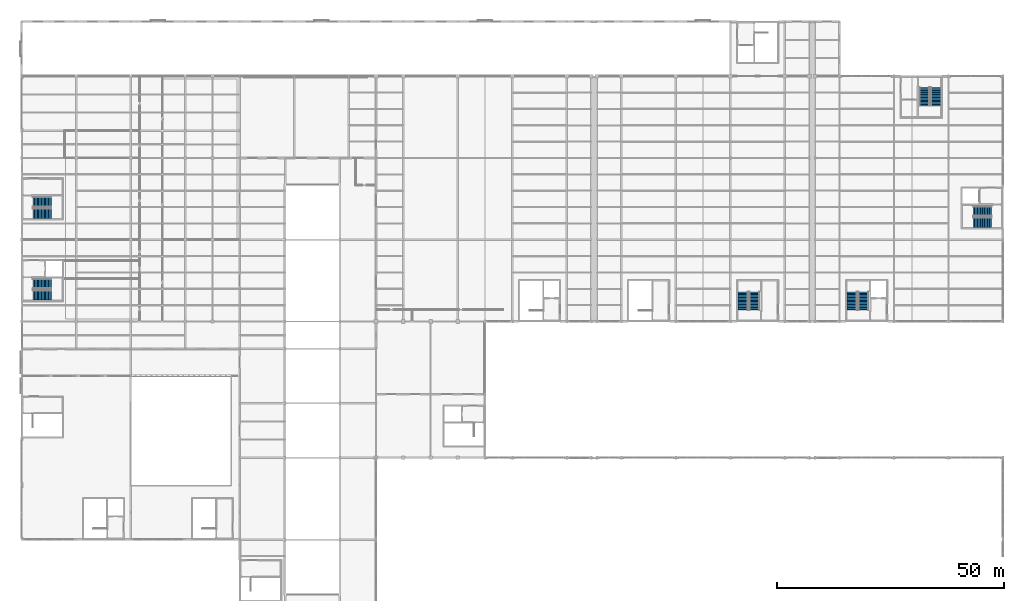
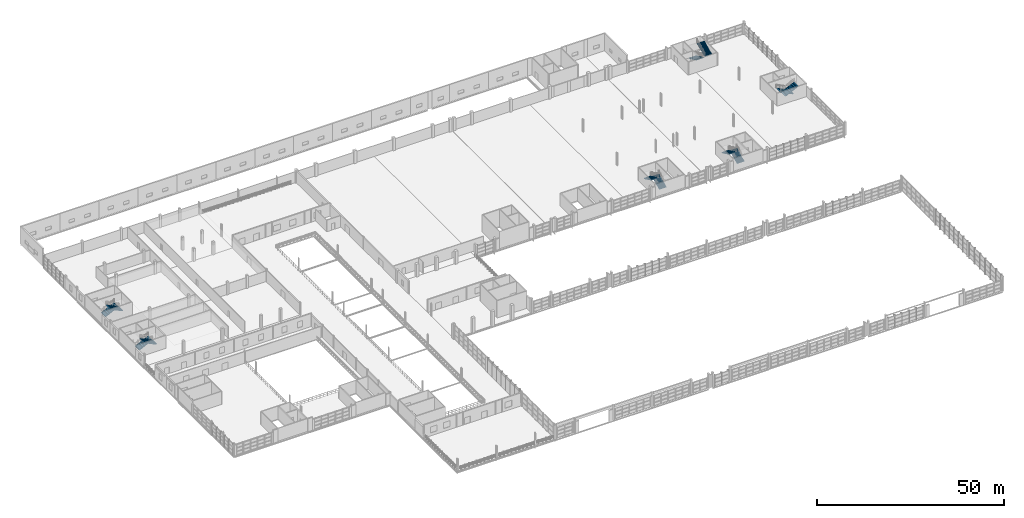
# One storey, part 142 of 147: 12 stair flights, 6 elements without a shape of their own.
"""IFC4 building model written with IfcOpenShell, lengths in metres."""

import ifcopenshell
import ifcopenshell.guid

model = None  # the IFC model being written
_history = None  # IfcOwnerHistory: only IFC2X3 demands one
_inside = {}  # id of a spatial element -> (the spatial element, [elements in it])
_under = {}  # id of a project, library or spatial element -> (it, [spatial elements below it])
_declared = {}  # id of a project -> (the project, [libraries it declares])
_typed = {}  # id of a type object -> (the type object, [elements of that type])
_made_of = {}  # id of a material, layer set ... -> (it, [elements and type objects made of it])


def new_model(schema):
    """Start an empty IFC model of exactly this schema.

    Asked for "IFC4X3", IfcOpenShell would pick the latest addendum, in which some entities
    have other attributes; the version numbers below select the first issue.
    IFC2X3 requires an IfcOwnerHistory on every rooted entity: one is made here for all.
    """
    global model, _history
    if schema == "IFC4X3":
        model = ifcopenshell.file(schema_version=(4, 3, 0, 0))
    else:
        model = ifcopenshell.file(schema=schema)
    _inside.clear()
    _under.clear()
    _declared.clear()
    _typed.clear()
    _made_of.clear()
    _history = None
    if model.schema == "IFC2X3":
        org = make("IfcOrganization", Name="unknown")
        user = make(
            "IfcPersonAndOrganization",
            ThePerson=make("IfcPerson", FamilyName="unknown"),
            TheOrganization=org,
        )
        app = make(
            "IfcApplication",
            ApplicationDeveloper=org,
            Version="unknown",
            ApplicationFullName="unknown",
            ApplicationIdentifier="unknown",
        )
        _history = make(
            "IfcOwnerHistory",
            OwningUser=user,
            OwningApplication=app,
            ChangeAction="ADDED",
            CreationDate=0,
        )
    return model


def make(cls, **values):
    """One entity of the class cls with the attributes given. An attribute that is None is left unset."""
    return model.create_entity(
        cls, **{name: value for name, value in values.items() if value is not None}
    )


def rooted(cls, **values):
    """An entity with a GlobalId (a new one), such as an element, a storey or a relation."""
    return make(cls, GlobalId=ifcopenshell.guid.new(), OwnerHistory=_history, **values)


def si_unit(unit_type, name, prefix=None):
    """IfcSIUnit, for example si_unit("LENGTHUNIT", "METRE", prefix="MILLI")."""
    return make("IfcSIUnit", UnitType=unit_type, Prefix=prefix, Name=name)


def assignment(units):
    """IfcUnitAssignment: the units of a project."""
    return None if units is None else make("IfcUnitAssignment", Units=units)


def point(xyz):
    """IfcCartesianPoint."""
    return None if xyz is None else make("IfcCartesianPoint", Coordinates=xyz)


def direction(xyz):
    """IfcDirection."""
    return None if xyz is None else make("IfcDirection", DirectionRatios=xyz)


def frame(location, z_axis=None, x_axis=None):
    """IfcAxis2Placement3D, a coordinate frame: its origin and axes. An axis left out is left unset."""
    return make(
        "IfcAxis2Placement3D",
        Location=point(location),
        Axis=direction(z_axis),
        RefDirection=direction(x_axis),
    )


def origin():
    """The frame at (0, 0, 0) with its axes left unset."""
    return frame((0.0, 0.0, 0.0))


def place(relative_to, where):
    """IfcLocalPlacement: puts the frame where relative to a parent placement (None: the world)."""
    return make(
        "IfcLocalPlacement", PlacementRelTo=relative_to, RelativePlacement=where
    )


def context(
    kind, dimensions, precision=None, world=None, true_north=None, identifier=None
):
    """IfcGeometricRepresentationContext, for example the 3D "Model" context."""
    return make(
        "IfcGeometricRepresentationContext",
        ContextIdentifier=identifier,
        ContextType=kind,
        CoordinateSpaceDimension=dimensions,
        Precision=precision,
        WorldCoordinateSystem=world,
        TrueNorth=true_north,
    )


def subcontext(parent, identifier, kind, view, scale=None):
    """IfcGeometricRepresentationSubContext, for example "Body" below "Model"."""
    return make(
        "IfcGeometricRepresentationSubContext",
        ContextIdentifier=identifier,
        ContextType=kind,
        ParentContext=parent,
        TargetScale=scale,
        TargetView=view,
    )


def project(units=None, contexts=None):
    """IfcProject with its units and contexts."""
    return rooted(
        "IfcProject",
        Name="project",
        RepresentationContexts=contexts,
        UnitsInContext=assignment(units),
    )


def spatial(cls, under=None, at=None, **own):
    """A site, building, storey or space (cls), placed at a placement, below another one or the project."""
    s = rooted(cls, ObjectPlacement=at, **own)
    if under is not None:
        _under.setdefault(under.id(), (under, []))[1].append(s)
    return s


def polyline(points):
    """IfcPolyline through the points."""
    return make("IfcPolyline", Points=[point(p) for p in points])


def outline(outer, holes=None, kind="AREA"):
    """IfcArbitraryClosedProfileDef: a profile drawn as a closed curve; with holes, ...WithVoids."""
    if holes is None:
        return make("IfcArbitraryClosedProfileDef", ProfileType=kind, OuterCurve=outer)
    return make(
        "IfcArbitraryProfileDefWithVoids",
        ProfileType=kind,
        OuterCurve=outer,
        InnerCurves=holes,
    )


def extrude(swept, where, along, depth):
    """IfcExtrudedAreaSolid: the profile swept, set in the frame where, extruded along a direction by depth."""
    return make(
        "IfcExtrudedAreaSolid",
        SweptArea=swept,
        Position=where,
        ExtrudedDirection=direction(along),
        Depth=depth,
    )


def shape(context_of_items, identifier, shape_type, items):
    """IfcShapeRepresentation: the items that make up one representation, for example the "Body"."""
    return make(
        "IfcShapeRepresentation",
        ContextOfItems=context_of_items,
        RepresentationIdentifier=identifier,
        RepresentationType=shape_type,
        Items=items,
    )


def material(Name=None, Category=None):
    """IfcMaterial."""
    return make("IfcMaterial", Name=Name, Category=Category)


def made_of(thing, what):
    """Note that an element or type object is made of a material, layer set ...; save() writes the relation."""
    if what is not None:
        _made_of.setdefault(what.id(), (what, []))[1].append(thing)
    return thing


def type_object(cls, material=None, **own):
    """A type object (cls), such as IfcWallType, which elements share."""
    return made_of(rooted(cls, **own), material)


def element(
    cls,
    number,
    at=None,
    inside=None,
    cuts=None,
    type_object=None,
    material=None,
    context=None,
    identifier="Body",
    shape_type=None,
    held_by="IfcProductDefinitionShape",
    body=None,
    shapes=None,
    **own,
):
    """One element of the class cls, such as IfcWall. Its Tag is "e" and its number.

    at: its placement. inside: the storey or other place that contains it. cuts: it is an
    opening in that element (IfcRelVoidsElement). A single representation is given by context,
    identifier, shape_type and body (its items); several are given by shapes. held_by: the class
    of the entity that holds the representations. save() writes the other relations.
    """
    e = rooted(cls, Tag="e%d" % number, ObjectPlacement=at, **own)
    if body is not None:
        shapes = [shape(context, identifier, shape_type, body)]
    if shapes is not None:
        e.Representation = make(held_by, Representations=shapes)
    if inside is not None:
        _inside.setdefault(inside.id(), (inside, []))[1].append(e)
    if cuts is not None:
        rooted(
            "IfcRelVoidsElement", RelatingBuildingElement=cuts, RelatedOpeningElement=e
        )
    if type_object is not None:
        _typed.setdefault(type_object.id(), (type_object, []))[1].append(e)
    return made_of(e, material)


def aggregate(whole, parts):
    """IfcRelAggregates: a whole, such as a stair, and the parts it consists of."""
    return rooted("IfcRelAggregates", RelatingObject=whole, RelatedObjects=parts)


def save(model, path):
    """Write the relations noted so far, then the file.

    IfcRelAggregates (storeys below a building ...), IfcRelContainedInSpatialStructure (elements
    in a storey), IfcRelDefinesByType, IfcRelAssociatesMaterial and IfcRelDeclares: one each for
    every whole, place, type object, material and project.
    """
    for whole, parts in _under.values():
        aggregate(whole, parts)
    for where, things in _inside.values():
        rooted(
            "IfcRelContainedInSpatialStructure",
            RelatedElements=things,
            RelatingStructure=where,
        )
    for kind, things in _typed.values():
        rooted("IfcRelDefinesByType", RelatedObjects=things, RelatingType=kind)
    for what, things in _made_of.values():
        rooted("IfcRelAssociatesMaterial", RelatedObjects=things, RelatingMaterial=what)
    for by, libraries in _declared.values():
        rooted("IfcRelDeclares", RelatingContext=by, RelatedDefinitions=libraries)
    model.write(path)


model = new_model("IFC4")

# Units and contexts
model_context = context("Model", 3, precision=1e-05, world=origin(), true_north=direction((0.0, 1.0)))
body_context = subcontext(model_context, "Body", "Model", "MODEL_VIEW")
ifc_project = project(units=[si_unit("LENGTHUNIT", "METRE"), si_unit("AREAUNIT", "SQUARE_METRE"), si_unit("VOLUMEUNIT", "CUBIC_METRE"), si_unit("PLANEANGLEUNIT", "RADIAN"), si_unit("MASSUNIT", "GRAM", prefix="KILO")], contexts=[model_context])

# Site, building, storey
site_placement = place(None, origin())
site = spatial("IfcSite", under=ifc_project, at=site_placement, CompositionType="ELEMENT")
building_placement = place(site_placement, origin())
building = spatial("IfcBuilding", under=site, at=building_placement, Name="Zilviju Railside Exhibition Hall", CompositionType="ELEMENT")
storey_placement = place(building_placement, frame((0.0, 0.0, 8.39990234375)))
storey = spatial("IfcBuildingStorey", under=building, at=storey_placement, Name="L03", CompositionType="ELEMENT", Elevation=8.39990234375)

# Stair, stair flights
ifc_material = material(Name="Concrete C35/45", Category="concrete")
stair_type_1 = type_object("IfcStairType", Name="STAIR-ST-A", PredefinedType="HALF_TURN_STAIR", material=ifc_material)
stair_1_placement = place(storey_placement, origin())
stair_1 = element("IfcStair", 1, at=stair_1_placement, inside=storey, type_object=stair_type_1, Name="Core C07 North Hall Court East Exit Stair L03", PredefinedType="HALF_TURN_STAIR")
stair_flight_type_1 = type_object("IfcStairFlightType", Name="FLIGHT-ST-A", PredefinedType="STRAIGHT", material=ifc_material)
stair_flight_1_placement = place(storey_placement, frame((185.300048828125, 86.5, 0.0), z_axis=(0.0, 0.0, 1.0), x_axis=(0.0, 1.0, 0.0)))
stair_flight_1 = element("IfcStairFlight", 2, at=stair_flight_1_placement, type_object=stair_flight_type_1, Name="ST-07 flight 1", NumberOfRisers=14, NumberOfTreads=13, PredefinedType="STRAIGHT", RiserHeight=0.15, TreadLength=0.31, context=body_context, shape_type="SweptSolid", body=[
    extrude(outline(polyline([(0.0, 0.0), (0.0, 0.14990234375), (0.31005859375, 0.14990234375), (0.31005859375, 0.300048828125), (0.6201171875, 0.300048828125), (0.6201171875, 0.449951171875), (0.929931640625, 0.449951171875), (0.929931640625, 0.60009765625), (1.239990234375, 0.60009765625), (1.239990234375, 0.75), (1.550048828125, 0.75), (1.550048828125, 0.89990234375), (1.860107421875, 0.89990234375), (1.860107421875, 1.050048828125), (2.169921875, 1.050048828125), (2.169921875, 1.199951171875), (2.47998046875, 1.199951171875), (2.47998046875, 1.35009765625), (2.7900390625, 1.35009765625), (2.7900390625, 1.5), (3.10009765625, 1.5), (3.10009765625, 1.64990234375), (3.409912109375, 1.64990234375), (3.409912109375, 1.800048828125), (3.719970703125, 1.800048828125), (3.719970703125, 1.949951171875), (4.030029296875, 1.949951171875), (4.030029296875, 2.10009765625), (4.030029296875, 1.75), (0.4130859375, 0.0), (0.0, 0.0)])), frame((0.0, 1.1201171875, 0.0), z_axis=(0.0, -1.0, 0.0), x_axis=(1.0, 0.0, 0.0)), (0.0, 0.0, 1.0), 2.239990234375),
])
stair_flight_2_placement = place(storey_placement, frame((182.800048828125, 90.530029296875, 2.10009765625), z_axis=(0.0, 0.0, 1.0), x_axis=(0.0, -1.0, 0.0)))
stair_flight_2 = element("IfcStairFlight", 3, at=stair_flight_2_placement, type_object=stair_flight_type_1, Name="ST-07 flight 2", NumberOfRisers=14, NumberOfTreads=13, PredefinedType="STRAIGHT", RiserHeight=0.15, TreadLength=0.31, context=body_context, shape_type="SweptSolid", body=[
    extrude(outline(polyline([(0.0, 0.0), (0.0, 0.14990234375), (0.31005859375, 0.14990234375), (0.31005859375, 0.300048828125), (0.6201171875, 0.300048828125), (0.6201171875, 0.449951171875), (0.929931640625, 0.449951171875), (0.929931640625, 0.60009765625), (1.239990234375, 0.60009765625), (1.239990234375, 0.75), (1.550048828125, 0.75), (1.550048828125, 0.89990234375), (1.860107421875, 0.89990234375), (1.860107421875, 1.050048828125), (2.169921875, 1.050048828125), (2.169921875, 1.199951171875), (2.47998046875, 1.199951171875), (2.47998046875, 1.35009765625), (2.7900390625, 1.35009765625), (2.7900390625, 1.5), (3.10009765625, 1.5), (3.10009765625, 1.64990234375), (3.409912109375, 1.64990234375), (3.409912109375, 1.800048828125), (3.719970703125, 1.800048828125), (3.719970703125, 1.949951171875), (4.030029296875, 1.949951171875), (4.030029296875, 2.10009765625), (4.030029296875, 1.75), (0.4130859375, 0.0), (0.0, 0.0)])), frame((0.0, 1.1201171875, 0.0), z_axis=(0.0, -1.0, 0.0), x_axis=(1.0, 0.0, 0.0)), (0.0, 0.0, 1.0), 2.239990234375),
])
aggregate(stair_1, [stair_flight_1, stair_flight_2])

stair_2_placement = place(storey_placement, origin())
stair_2 = element("IfcStair", 4, at=stair_2_placement, inside=storey, type_object=stair_type_1, Name="Core C16 Organisers Wing North Exit Stair L03", PredefinedType="HALF_TURN_STAIR")
stair_flight_3_placement = place(storey_placement, frame((2.5, 110.300048828125, 0.0), z_axis=(0.0, 0.0, 1.0), x_axis=(1.0, 0.0, 0.0)))
stair_flight_3 = element("IfcStairFlight", 5, at=stair_flight_3_placement, type_object=stair_flight_type_1, Name="ST-16 flight 1", NumberOfRisers=14, NumberOfTreads=13, PredefinedType="STRAIGHT", RiserHeight=0.15, TreadLength=0.31, context=body_context, shape_type="SweptSolid", body=[
    extrude(outline(polyline([(0.0, 0.0), (0.0, 0.14990234375), (0.31005859375, 0.14990234375), (0.31005859375, 0.300048828125), (0.6201171875, 0.300048828125), (0.6201171875, 0.449951171875), (0.929931640625, 0.449951171875), (0.929931640625, 0.60009765625), (1.239990234375, 0.60009765625), (1.239990234375, 0.75), (1.550048828125, 0.75), (1.550048828125, 0.89990234375), (1.860107421875, 0.89990234375), (1.860107421875, 1.050048828125), (2.169921875, 1.050048828125), (2.169921875, 1.199951171875), (2.47998046875, 1.199951171875), (2.47998046875, 1.35009765625), (2.7900390625, 1.35009765625), (2.7900390625, 1.5), (3.10009765625, 1.5), (3.10009765625, 1.64990234375), (3.409912109375, 1.64990234375), (3.409912109375, 1.800048828125), (3.719970703125, 1.800048828125), (3.719970703125, 1.949951171875), (4.030029296875, 1.949951171875), (4.030029296875, 2.10009765625), (4.030029296875, 1.75), (0.4130859375, 0.0), (0.0, 0.0)])), frame((0.0, 1.1201171875, 0.0), z_axis=(0.0, -1.0, 0.0), x_axis=(1.0, 0.0, 0.0)), (0.0, 0.0, 1.0), 2.239990234375),
])
stair_flight_4_placement = place(storey_placement, frame((6.530029296875, 107.800048828125, 2.10009765625), z_axis=(0.0, 0.0, 1.0), x_axis=(-1.0, 0.0, 0.0)))
stair_flight_4 = element("IfcStairFlight", 6, at=stair_flight_4_placement, type_object=stair_flight_type_1, Name="ST-16 flight 2", NumberOfRisers=14, NumberOfTreads=13, PredefinedType="STRAIGHT", RiserHeight=0.15, TreadLength=0.31, context=body_context, shape_type="SweptSolid", body=[
    extrude(outline(polyline([(0.0, 0.0), (0.0, 0.14990234375), (0.31005859375, 0.14990234375), (0.31005859375, 0.300048828125), (0.6201171875, 0.300048828125), (0.6201171875, 0.449951171875), (0.929931640625, 0.449951171875), (0.929931640625, 0.60009765625), (1.239990234375, 0.60009765625), (1.239990234375, 0.75), (1.550048828125, 0.75), (1.550048828125, 0.89990234375), (1.860107421875, 0.89990234375), (1.860107421875, 1.050048828125), (2.169921875, 1.050048828125), (2.169921875, 1.199951171875), (2.47998046875, 1.199951171875), (2.47998046875, 1.35009765625), (2.7900390625, 1.35009765625), (2.7900390625, 1.5), (3.10009765625, 1.5), (3.10009765625, 1.64990234375), (3.409912109375, 1.64990234375), (3.409912109375, 1.800048828125), (3.719970703125, 1.800048828125), (3.719970703125, 1.949951171875), (4.030029296875, 1.949951171875), (4.030029296875, 2.10009765625), (4.030029296875, 1.75), (0.4130859375, 0.0), (0.0, 0.0)])), frame((0.0, 1.1201171875, 0.0), z_axis=(0.0, -1.0, 0.0), x_axis=(1.0, 0.0, 0.0)), (0.0, 0.0, 1.0), 2.239990234375),
])
aggregate(stair_2, [stair_flight_3, stair_flight_4])

stair_type_2 = type_object("IfcStairType", Name="STAIR-ST-B", PredefinedType="HALF_TURN_STAIR", material=ifc_material)
stair_3_placement = place(storey_placement, origin())
stair_3 = element("IfcStair", 7, at=stair_3_placement, inside=storey, type_object=stair_type_2, Name="Core C08 North Hall Rail East Exit Stair L03", PredefinedType="HALF_TURN_STAIR")
stair_flight_type_2 = type_object("IfcStairFlightType", Name="FLIGHT-ST-B", PredefinedType="STRAIGHT", material=ifc_material)
stair_flight_5_placement = place(storey_placement, frame((198.699951171875, 135.5, 0.0), z_axis=(0.0, 0.0, 1.0), x_axis=(0.0, -1.0, 0.0)))
stair_flight_5 = element("IfcStairFlight", 8, at=stair_flight_5_placement, type_object=stair_flight_type_2, Name="ST-08 flight 1", NumberOfRisers=14, NumberOfTreads=13, PredefinedType="STRAIGHT", RiserHeight=0.15, TreadLength=0.31, context=body_context, shape_type="SweptSolid", body=[
    extrude(outline(polyline([(0.0, 0.0), (0.0, 0.14990234375), (0.31005859375, 0.14990234375), (0.31005859375, 0.300048828125), (0.6201171875, 0.300048828125), (0.6201171875, 0.449951171875), (0.929931640625, 0.449951171875), (0.929931640625, 0.60009765625), (1.239990234375, 0.60009765625), (1.239990234375, 0.75), (1.550048828125, 0.75), (1.550048828125, 0.89990234375), (1.860107421875, 0.89990234375), (1.860107421875, 1.050048828125), (2.169921875, 1.050048828125), (2.169921875, 1.199951171875), (2.47998046875, 1.199951171875), (2.47998046875, 1.35009765625), (2.7900390625, 1.35009765625), (2.7900390625, 1.5), (3.10009765625, 1.5), (3.10009765625, 1.64990234375), (3.409912109375, 1.64990234375), (3.409912109375, 1.800048828125), (3.719970703125, 1.800048828125), (3.719970703125, 1.949951171875), (4.030029296875, 1.949951171875), (4.030029296875, 2.10009765625), (4.030029296875, 1.75), (0.4130859375, 0.0), (0.0, 0.0)])), frame((0.0, 1.10986328125, 0.0), z_axis=(0.0, -1.0, 0.0), x_axis=(1.0, 0.0, 0.0)), (0.0, 0.0, 1.0), 2.219970703125),
])
stair_flight_6_placement = place(storey_placement, frame((201.199951171875, 131.469970703125, 2.10009765625), z_axis=(0.0, 0.0, 1.0), x_axis=(0.0, 1.0, 0.0)))
stair_flight_6 = element("IfcStairFlight", 9, at=stair_flight_6_placement, type_object=stair_flight_type_2, Name="ST-08 flight 2", NumberOfRisers=14, NumberOfTreads=13, PredefinedType="STRAIGHT", RiserHeight=0.15, TreadLength=0.31, context=body_context, shape_type="SweptSolid", body=[
    extrude(outline(polyline([(0.0, 0.0), (0.0, 0.14990234375), (0.31005859375, 0.14990234375), (0.31005859375, 0.300048828125), (0.6201171875, 0.300048828125), (0.6201171875, 0.449951171875), (0.929931640625, 0.449951171875), (0.929931640625, 0.60009765625), (1.239990234375, 0.60009765625), (1.239990234375, 0.75), (1.550048828125, 0.75), (1.550048828125, 0.89990234375), (1.860107421875, 0.89990234375), (1.860107421875, 1.050048828125), (2.169921875, 1.050048828125), (2.169921875, 1.199951171875), (2.47998046875, 1.199951171875), (2.47998046875, 1.35009765625), (2.7900390625, 1.35009765625), (2.7900390625, 1.5), (3.10009765625, 1.5), (3.10009765625, 1.64990234375), (3.409912109375, 1.64990234375), (3.409912109375, 1.800048828125), (3.719970703125, 1.800048828125), (3.719970703125, 1.949951171875), (4.030029296875, 1.949951171875), (4.030029296875, 2.10009765625), (4.030029296875, 1.75), (0.4130859375, 0.0), (0.0, 0.0)])), frame((0.0, 1.10986328125, 0.0), z_axis=(0.0, -1.0, 0.0), x_axis=(1.0, 0.0, 0.0)), (0.0, 0.0, 1.0), 2.219970703125),
])
aggregate(stair_3, [stair_flight_5, stair_flight_6])

stair_type_3 = type_object("IfcStairType", Name="STAIR-ST-C", PredefinedType="HALF_TURN_STAIR", material=ifc_material)
stair_4_placement = place(storey_placement, origin())
stair_4 = element("IfcStair", 10, at=stair_4_placement, inside=storey, type_object=stair_type_3, Name="Core C06 North Hall Court MidE Exit Stair L03", PredefinedType="HALF_TURN_STAIR")
stair_flight_type_3 = type_object("IfcStairFlightType", Name="FLIGHT-ST-C", PredefinedType="STRAIGHT", material=ifc_material)
stair_flight_7_placement = place(storey_placement, frame((161.300048828125, 86.5, 0.0), z_axis=(0.0, 0.0, 1.0), x_axis=(0.0, 1.0, 0.0)))
stair_flight_7 = element("IfcStairFlight", 11, at=stair_flight_7_placement, type_object=stair_flight_type_3, Name="ST-06 flight 1", NumberOfRisers=14, NumberOfTreads=13, PredefinedType="STRAIGHT", RiserHeight=0.15, TreadLength=0.31, context=body_context, shape_type="SweptSolid", body=[
    extrude(outline(polyline([(0.0, 0.0), (0.0, 0.14990234375), (0.31005859375, 0.14990234375), (0.31005859375, 0.300048828125), (0.6201171875, 0.300048828125), (0.6201171875, 0.449951171875), (0.929931640625, 0.449951171875), (0.929931640625, 0.60009765625), (1.239990234375, 0.60009765625), (1.239990234375, 0.75), (1.550048828125, 0.75), (1.550048828125, 0.89990234375), (1.860107421875, 0.89990234375), (1.860107421875, 1.050048828125), (2.169921875, 1.050048828125), (2.169921875, 1.199951171875), (2.47998046875, 1.199951171875), (2.47998046875, 1.35009765625), (2.7900390625, 1.35009765625), (2.7900390625, 1.5), (3.10009765625, 1.5), (3.10009765625, 1.64990234375), (3.409912109375, 1.64990234375), (3.409912109375, 1.800048828125), (3.719970703125, 1.800048828125), (3.719970703125, 1.949951171875), (4.030029296875, 1.949951171875), (4.030029296875, 2.10009765625), (4.030029296875, 1.75), (0.4130859375, 0.0), (0.0, 0.0)])), frame((0.0, 1.10009765625, 0.0), z_axis=(0.0, -1.0, 0.0), x_axis=(1.0, 0.0, 0.0)), (0.0, 0.0, 1.0), 2.199951171875),
])
stair_flight_8_placement = place(storey_placement, frame((158.800048828125, 90.530029296875, 2.10009765625), z_axis=(0.0, 0.0, 1.0), x_axis=(0.0, -1.0, 0.0)))
stair_flight_8 = element("IfcStairFlight", 12, at=stair_flight_8_placement, type_object=stair_flight_type_3, Name="ST-06 flight 2", NumberOfRisers=14, NumberOfTreads=13, PredefinedType="STRAIGHT", RiserHeight=0.15, TreadLength=0.31, context=body_context, shape_type="SweptSolid", body=[
    extrude(outline(polyline([(0.0, 0.0), (0.0, 0.14990234375), (0.31005859375, 0.14990234375), (0.31005859375, 0.300048828125), (0.6201171875, 0.300048828125), (0.6201171875, 0.449951171875), (0.929931640625, 0.449951171875), (0.929931640625, 0.60009765625), (1.239990234375, 0.60009765625), (1.239990234375, 0.75), (1.550048828125, 0.75), (1.550048828125, 0.89990234375), (1.860107421875, 0.89990234375), (1.860107421875, 1.050048828125), (2.169921875, 1.050048828125), (2.169921875, 1.199951171875), (2.47998046875, 1.199951171875), (2.47998046875, 1.35009765625), (2.7900390625, 1.35009765625), (2.7900390625, 1.5), (3.10009765625, 1.5), (3.10009765625, 1.64990234375), (3.409912109375, 1.64990234375), (3.409912109375, 1.800048828125), (3.719970703125, 1.800048828125), (3.719970703125, 1.949951171875), (4.030029296875, 1.949951171875), (4.030029296875, 2.10009765625), (4.030029296875, 1.75), (0.4130859375, 0.0), (0.0, 0.0)])), frame((0.0, 1.10009765625, 0.0), z_axis=(0.0, -1.0, 0.0), x_axis=(1.0, 0.0, 0.0)), (0.0, 0.0, 1.0), 2.199951171875),
])
aggregate(stair_4, [stair_flight_7, stair_flight_8])

stair_5_placement = place(storey_placement, origin())
stair_5 = element("IfcStair", 13, at=stair_5_placement, inside=storey, type_object=stair_type_3, Name="Core C09 North Hall Gable East Exit Stair L03", PredefinedType="HALF_TURN_STAIR")
stair_flight_9_placement = place(storey_placement, frame((213.5, 108.300048828125, 0.0), z_axis=(0.0, 0.0, 1.0), x_axis=(-1.0, 0.0, 0.0)))
stair_flight_9 = element("IfcStairFlight", 14, at=stair_flight_9_placement, type_object=stair_flight_type_3, Name="ST-09 flight 1", NumberOfRisers=14, NumberOfTreads=13, PredefinedType="STRAIGHT", RiserHeight=0.15, TreadLength=0.31, context=body_context, shape_type="SweptSolid", body=[
    extrude(outline(polyline([(0.0, 0.0), (0.0, 0.14990234375), (0.31005859375, 0.14990234375), (0.31005859375, 0.300048828125), (0.6201171875, 0.300048828125), (0.6201171875, 0.449951171875), (0.929931640625, 0.449951171875), (0.929931640625, 0.60009765625), (1.239990234375, 0.60009765625), (1.239990234375, 0.75), (1.550048828125, 0.75), (1.550048828125, 0.89990234375), (1.860107421875, 0.89990234375), (1.860107421875, 1.050048828125), (2.169921875, 1.050048828125), (2.169921875, 1.199951171875), (2.47998046875, 1.199951171875), (2.47998046875, 1.35009765625), (2.7900390625, 1.35009765625), (2.7900390625, 1.5), (3.10009765625, 1.5), (3.10009765625, 1.64990234375), (3.409912109375, 1.64990234375), (3.409912109375, 1.800048828125), (3.719970703125, 1.800048828125), (3.719970703125, 1.949951171875), (4.030029296875, 1.949951171875), (4.030029296875, 2.10009765625), (4.030029296875, 1.75), (0.4130859375, 0.0), (0.0, 0.0)])), frame((0.0, 1.10009765625, 0.0), z_axis=(0.0, -1.0, 0.0), x_axis=(1.0, 0.0, 0.0)), (0.0, 0.0, 1.0), 2.199951171875),
])
stair_flight_10_placement = place(storey_placement, frame((209.469970703125, 105.800048828125, 2.10009765625), z_axis=(0.0, 0.0, 1.0), x_axis=(1.0, 0.0, 0.0)))
stair_flight_10 = element("IfcStairFlight", 15, at=stair_flight_10_placement, type_object=stair_flight_type_3, Name="ST-09 flight 2", NumberOfRisers=14, NumberOfTreads=13, PredefinedType="STRAIGHT", RiserHeight=0.15, TreadLength=0.31, context=body_context, shape_type="SweptSolid", body=[
    extrude(outline(polyline([(0.0, 0.0), (0.0, 0.14990234375), (0.31005859375, 0.14990234375), (0.31005859375, 0.300048828125), (0.6201171875, 0.300048828125), (0.6201171875, 0.449951171875), (0.929931640625, 0.449951171875), (0.929931640625, 0.60009765625), (1.239990234375, 0.60009765625), (1.239990234375, 0.75), (1.550048828125, 0.75), (1.550048828125, 0.89990234375), (1.860107421875, 0.89990234375), (1.860107421875, 1.050048828125), (2.169921875, 1.050048828125), (2.169921875, 1.199951171875), (2.47998046875, 1.199951171875), (2.47998046875, 1.35009765625), (2.7900390625, 1.35009765625), (2.7900390625, 1.5), (3.10009765625, 1.5), (3.10009765625, 1.64990234375), (3.409912109375, 1.64990234375), (3.409912109375, 1.800048828125), (3.719970703125, 1.800048828125), (3.719970703125, 1.949951171875), (4.030029296875, 1.949951171875), (4.030029296875, 2.10009765625), (4.030029296875, 1.75), (0.4130859375, 0.0), (0.0, 0.0)])), frame((0.0, 1.10009765625, 0.0), z_axis=(0.0, -1.0, 0.0), x_axis=(1.0, 0.0, 0.0)), (0.0, 0.0, 1.0), 2.199951171875),
])
aggregate(stair_5, [stair_flight_9, stair_flight_10])

stair_6_placement = place(storey_placement, origin())
stair_6 = element("IfcStair", 16, at=stair_6_placement, inside=storey, type_object=stair_type_3, Name="Core C15 Organisers Wing South Exit Stair L03", PredefinedType="HALF_TURN_STAIR")
stair_flight_11_placement = place(storey_placement, frame((2.5, 92.300048828125, 0.0), z_axis=(0.0, 0.0, 1.0), x_axis=(1.0, 0.0, 0.0)))
stair_flight_11 = element("IfcStairFlight", 17, at=stair_flight_11_placement, type_object=stair_flight_type_3, Name="ST-15 flight 1", NumberOfRisers=14, NumberOfTreads=13, PredefinedType="STRAIGHT", RiserHeight=0.15, TreadLength=0.31, context=body_context, shape_type="SweptSolid", body=[
    extrude(outline(polyline([(0.0, 0.0), (0.0, 0.14990234375), (0.31005859375, 0.14990234375), (0.31005859375, 0.300048828125), (0.6201171875, 0.300048828125), (0.6201171875, 0.449951171875), (0.929931640625, 0.449951171875), (0.929931640625, 0.60009765625), (1.239990234375, 0.60009765625), (1.239990234375, 0.75), (1.550048828125, 0.75), (1.550048828125, 0.89990234375), (1.860107421875, 0.89990234375), (1.860107421875, 1.050048828125), (2.169921875, 1.050048828125), (2.169921875, 1.199951171875), (2.47998046875, 1.199951171875), (2.47998046875, 1.35009765625), (2.7900390625, 1.35009765625), (2.7900390625, 1.5), (3.10009765625, 1.5), (3.10009765625, 1.64990234375), (3.409912109375, 1.64990234375), (3.409912109375, 1.800048828125), (3.719970703125, 1.800048828125), (3.719970703125, 1.949951171875), (4.030029296875, 1.949951171875), (4.030029296875, 2.10009765625), (4.030029296875, 1.75), (0.4130859375, 0.0), (0.0, 0.0)])), frame((0.0, 1.10009765625, 0.0), z_axis=(0.0, -1.0, 0.0), x_axis=(1.0, 0.0, 0.0)), (0.0, 0.0, 1.0), 2.199951171875),
])
stair_flight_12_placement = place(storey_placement, frame((6.530029296875, 89.800048828125, 2.10009765625), z_axis=(0.0, 0.0, 1.0), x_axis=(-1.0, 0.0, 0.0)))
stair_flight_12 = element("IfcStairFlight", 18, at=stair_flight_12_placement, type_object=stair_flight_type_3, Name="ST-15 flight 2", NumberOfRisers=14, NumberOfTreads=13, PredefinedType="STRAIGHT", RiserHeight=0.15, TreadLength=0.31, context=body_context, shape_type="SweptSolid", body=[
    extrude(outline(polyline([(0.0, 0.0), (0.0, 0.14990234375), (0.31005859375, 0.14990234375), (0.31005859375, 0.300048828125), (0.6201171875, 0.300048828125), (0.6201171875, 0.449951171875), (0.929931640625, 0.449951171875), (0.929931640625, 0.60009765625), (1.239990234375, 0.60009765625), (1.239990234375, 0.75), (1.550048828125, 0.75), (1.550048828125, 0.89990234375), (1.860107421875, 0.89990234375), (1.860107421875, 1.050048828125), (2.169921875, 1.050048828125), (2.169921875, 1.199951171875), (2.47998046875, 1.199951171875), (2.47998046875, 1.35009765625), (2.7900390625, 1.35009765625), (2.7900390625, 1.5), (3.10009765625, 1.5), (3.10009765625, 1.64990234375), (3.409912109375, 1.64990234375), (3.409912109375, 1.800048828125), (3.719970703125, 1.800048828125), (3.719970703125, 1.949951171875), (4.030029296875, 1.949951171875), (4.030029296875, 2.10009765625), (4.030029296875, 1.75), (0.4130859375, 0.0), (0.0, 0.0)])), frame((0.0, 1.10009765625, 0.0), z_axis=(0.0, -1.0, 0.0), x_axis=(1.0, 0.0, 0.0)), (0.0, 0.0, 1.0), 2.199951171875),
])
aggregate(stair_6, [stair_flight_11, stair_flight_12])

save(model, "model.ifc")
